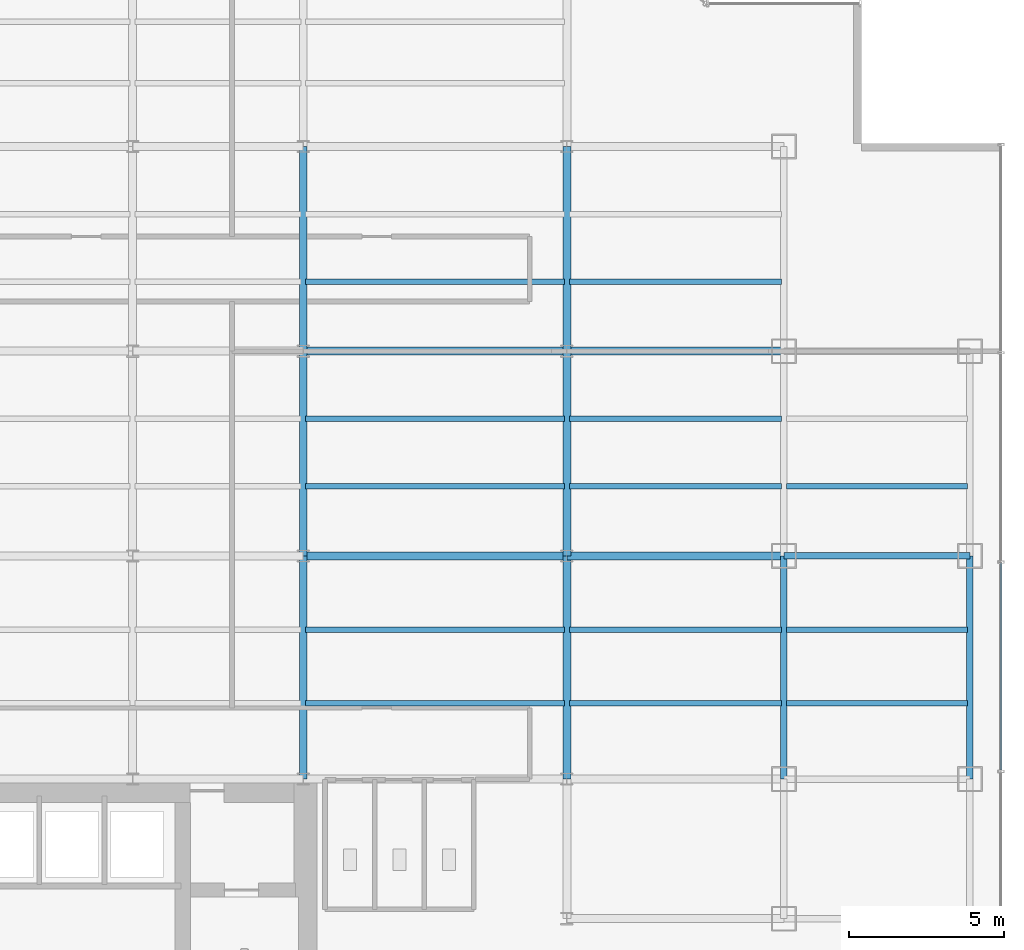
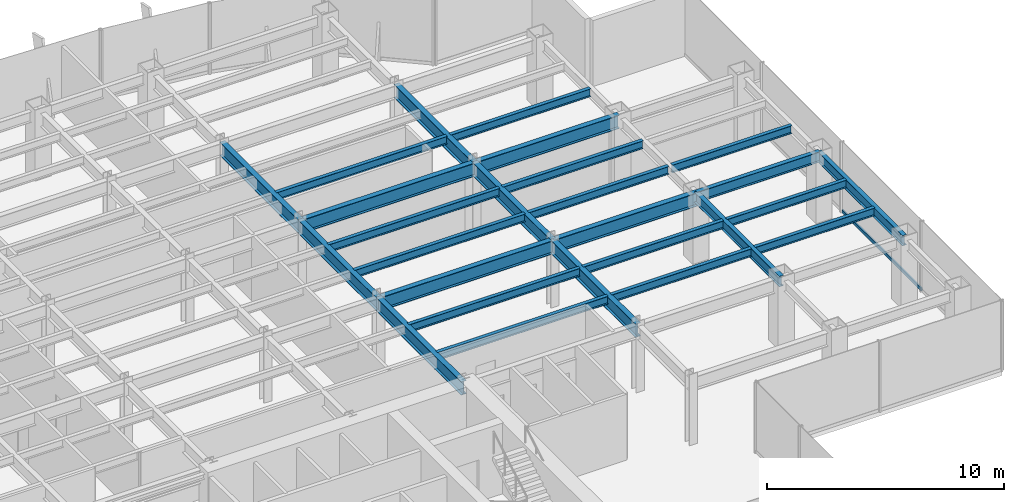
# One storey, part 11 of 26: 26 beams, 1 member, 1 element without a shape of its own.
"""IFC4 building model written with IfcOpenShell, lengths in metres."""

import ifcopenshell
import ifcopenshell.guid

model = None  # the IFC model being written
_history = None  # IfcOwnerHistory: only IFC2X3 demands one
_inside = {}  # id of a spatial element -> (the spatial element, [elements in it])
_under = {}  # id of a project, library or spatial element -> (it, [spatial elements below it])
_declared = {}  # id of a project -> (the project, [libraries it declares])
_typed = {}  # id of a type object -> (the type object, [elements of that type])
_made_of = {}  # id of a material, layer set ... -> (it, [elements and type objects made of it])


def new_model(schema):
    """Start an empty IFC model of exactly this schema.

    Asked for "IFC4X3", IfcOpenShell would pick the latest addendum, in which some entities
    have other attributes; the version numbers below select the first issue.
    IFC2X3 requires an IfcOwnerHistory on every rooted entity: one is made here for all.
    """
    global model, _history
    if schema == "IFC4X3":
        model = ifcopenshell.file(schema_version=(4, 3, 0, 0))
    else:
        model = ifcopenshell.file(schema=schema)
    _inside.clear()
    _under.clear()
    _declared.clear()
    _typed.clear()
    _made_of.clear()
    _history = None
    if model.schema == "IFC2X3":
        org = make("IfcOrganization", Name="unknown")
        user = make(
            "IfcPersonAndOrganization",
            ThePerson=make("IfcPerson", FamilyName="unknown"),
            TheOrganization=org,
        )
        app = make(
            "IfcApplication",
            ApplicationDeveloper=org,
            Version="unknown",
            ApplicationFullName="unknown",
            ApplicationIdentifier="unknown",
        )
        _history = make(
            "IfcOwnerHistory",
            OwningUser=user,
            OwningApplication=app,
            ChangeAction="ADDED",
            CreationDate=0,
        )
    return model


def make(cls, **values):
    """One entity of the class cls with the attributes given. An attribute that is None is left unset."""
    return model.create_entity(
        cls, **{name: value for name, value in values.items() if value is not None}
    )


def rooted(cls, **values):
    """An entity with a GlobalId (a new one), such as an element, a storey or a relation."""
    return make(cls, GlobalId=ifcopenshell.guid.new(), OwnerHistory=_history, **values)


def si_unit(unit_type, name, prefix=None):
    """IfcSIUnit, for example si_unit("LENGTHUNIT", "METRE", prefix="MILLI")."""
    return make("IfcSIUnit", UnitType=unit_type, Prefix=prefix, Name=name)


def derived_unit(unit_type, elements):
    """IfcDerivedUnit: a product of units, each with its exponent."""
    return make(
        "IfcDerivedUnit",
        Elements=[
            make("IfcDerivedUnitElement", Unit=unit, Exponent=power)
            for unit, power in elements
        ],
        UnitType=unit_type,
    )


def assignment(units):
    """IfcUnitAssignment: the units of a project."""
    return None if units is None else make("IfcUnitAssignment", Units=units)


def point(xyz):
    """IfcCartesianPoint."""
    return None if xyz is None else make("IfcCartesianPoint", Coordinates=xyz)


def direction(xyz):
    """IfcDirection."""
    return None if xyz is None else make("IfcDirection", DirectionRatios=xyz)


def frame(location, z_axis=None, x_axis=None):
    """IfcAxis2Placement3D, a coordinate frame: its origin and axes. An axis left out is left unset."""
    return make(
        "IfcAxis2Placement3D",
        Location=point(location),
        Axis=direction(z_axis),
        RefDirection=direction(x_axis),
    )


def frame_2d(location, x_axis=None):
    """IfcAxis2Placement2D, a coordinate frame in the plane: its origin and x axis."""
    return make(
        "IfcAxis2Placement2D", Location=point(location), RefDirection=direction(x_axis)
    )


def origin():
    """The frame at (0, 0, 0) with its axes left unset."""
    return frame((0.0, 0.0, 0.0))


def origin_2d():
    """The frame at (0, 0) in the plane with its x axis left unset."""
    return frame_2d((0.0, 0.0))


def place(relative_to, where):
    """IfcLocalPlacement: puts the frame where relative to a parent placement (None: the world)."""
    return make(
        "IfcLocalPlacement", PlacementRelTo=relative_to, RelativePlacement=where
    )


def context(
    kind, dimensions, precision=None, world=None, true_north=None, identifier=None
):
    """IfcGeometricRepresentationContext, for example the 3D "Model" context."""
    return make(
        "IfcGeometricRepresentationContext",
        ContextIdentifier=identifier,
        ContextType=kind,
        CoordinateSpaceDimension=dimensions,
        Precision=precision,
        WorldCoordinateSystem=world,
        TrueNorth=true_north,
    )


def subcontext(parent, identifier, kind, view, scale=None):
    """IfcGeometricRepresentationSubContext, for example "Body" below "Model"."""
    return make(
        "IfcGeometricRepresentationSubContext",
        ContextIdentifier=identifier,
        ContextType=kind,
        ParentContext=parent,
        TargetScale=scale,
        TargetView=view,
    )


def project(units=None, contexts=None):
    """IfcProject with its units and contexts."""
    return rooted(
        "IfcProject",
        Name="project",
        RepresentationContexts=contexts,
        UnitsInContext=assignment(units),
    )


def spatial(cls, under=None, at=None, **own):
    """A site, building, storey or space (cls), placed at a placement, below another one or the project."""
    s = rooted(cls, ObjectPlacement=at, **own)
    if under is not None:
        _under.setdefault(under.id(), (under, []))[1].append(s)
    return s


def profile(cls, at=None, kind="AREA", **sizes):
    """A parametric profile (cls). Its sizes go by their IFC names, for example OverallWidth=200.0."""
    return make(cls, ProfileType=kind, Position=at, **sizes)


def hollow_rectangle(**sizes):
    """IfcRectangleHollowProfileDef."""
    return profile("IfcRectangleHollowProfileDef", **sizes)


def i_section(**sizes):
    """IfcIShapeProfileDef."""
    return profile("IfcIShapeProfileDef", **sizes)


def extrude(swept, where, along, depth):
    """IfcExtrudedAreaSolid: the profile swept, set in the frame where, extruded along a direction by depth."""
    return make(
        "IfcExtrudedAreaSolid",
        SweptArea=swept,
        Position=where,
        ExtrudedDirection=direction(along),
        Depth=depth,
    )


def shape(context_of_items, identifier, shape_type, items):
    """IfcShapeRepresentation: the items that make up one representation, for example the "Body"."""
    return make(
        "IfcShapeRepresentation",
        ContextOfItems=context_of_items,
        RepresentationIdentifier=identifier,
        RepresentationType=shape_type,
        Items=items,
    )


def source(mapping_origin, context_of_items, identifier, shape_type, items):
    """IfcRepresentationMap: a shape defined once, which mapped items show again and again."""
    return make(
        "IfcRepresentationMap",
        MappingOrigin=mapping_origin,
        MappedRepresentation=shape(context_of_items, identifier, shape_type, items),
    )


def transform(
    local_origin,
    x_axis=None,
    y_axis=None,
    z_axis=None,
    scale=None,
    scale2=None,
    scale3=None,
    uniform=True,
):
    """IfcCartesianTransformationOperator3D, or its non-uniform kind. x_axis, y_axis, z_axis: its Axis1, 2, 3."""
    if uniform:
        return make(
            "IfcCartesianTransformationOperator3D",
            Axis1=direction(x_axis),
            Axis2=direction(y_axis),
            LocalOrigin=point(local_origin),
            Scale=scale,
            Axis3=direction(z_axis),
        )
    return make(
        "IfcCartesianTransformationOperator3DnonUniform",
        Axis1=direction(x_axis),
        Axis2=direction(y_axis),
        LocalOrigin=point(local_origin),
        Scale=scale,
        Axis3=direction(z_axis),
        Scale2=scale2,
        Scale3=scale3,
    )


def mapped(mapping_source, mapping_target):
    """IfcMappedItem: shows the shape of a source again, moved by a transform."""
    return make(
        "IfcMappedItem", MappingSource=mapping_source, MappingTarget=mapping_target
    )


def material(Name=None, Category=None):
    """IfcMaterial."""
    return make("IfcMaterial", Name=Name, Category=Category)


def material_profile(
    of_material, cross_section, Name=None, Category=None, Priority=None
):
    """IfcMaterialProfile: a cross section and its material."""
    return make(
        "IfcMaterialProfile",
        Name=Name,
        Material=of_material,
        Profile=cross_section,
        Priority=Priority,
        Category=Category,
    )


def profile_set(profiles, Name=None, composite=None):
    """IfcMaterialProfileSet."""
    return make(
        "IfcMaterialProfileSet",
        Name=Name,
        MaterialProfiles=profiles,
        CompositeProfile=composite,
    )


def made_of(thing, what):
    """Note that an element or type object is made of a material, layer set ...; save() writes the relation."""
    if what is not None:
        _made_of.setdefault(what.id(), (what, []))[1].append(thing)
    return thing


def type_object(cls, material=None, **own):
    """A type object (cls), such as IfcWallType, which elements share."""
    return made_of(rooted(cls, **own), material)


def element(
    cls,
    number,
    at=None,
    inside=None,
    cuts=None,
    type_object=None,
    material=None,
    context=None,
    identifier="Body",
    shape_type=None,
    held_by="IfcProductDefinitionShape",
    body=None,
    shapes=None,
    **own,
):
    """One element of the class cls, such as IfcWall. Its Tag is "e" and its number.

    at: its placement. inside: the storey or other place that contains it. cuts: it is an
    opening in that element (IfcRelVoidsElement). A single representation is given by context,
    identifier, shape_type and body (its items); several are given by shapes. held_by: the class
    of the entity that holds the representations. save() writes the other relations.
    """
    e = rooted(cls, Tag="e%d" % number, ObjectPlacement=at, **own)
    if body is not None:
        shapes = [shape(context, identifier, shape_type, body)]
    if shapes is not None:
        e.Representation = make(held_by, Representations=shapes)
    if inside is not None:
        _inside.setdefault(inside.id(), (inside, []))[1].append(e)
    if cuts is not None:
        rooted(
            "IfcRelVoidsElement", RelatingBuildingElement=cuts, RelatedOpeningElement=e
        )
    if type_object is not None:
        _typed.setdefault(type_object.id(), (type_object, []))[1].append(e)
    return made_of(e, material)


def aggregate(whole, parts):
    """IfcRelAggregates: a whole, such as a stair, and the parts it consists of."""
    return rooted("IfcRelAggregates", RelatingObject=whole, RelatedObjects=parts)


def save(model, path):
    """Write the relations noted so far, then the file.

    IfcRelAggregates (storeys below a building ...), IfcRelContainedInSpatialStructure (elements
    in a storey), IfcRelDefinesByType, IfcRelAssociatesMaterial and IfcRelDeclares: one each for
    every whole, place, type object, material and project.
    """
    for whole, parts in _under.values():
        aggregate(whole, parts)
    for where, things in _inside.values():
        rooted(
            "IfcRelContainedInSpatialStructure",
            RelatedElements=things,
            RelatingStructure=where,
        )
    for kind, things in _typed.values():
        rooted("IfcRelDefinesByType", RelatedObjects=things, RelatingType=kind)
    for what, things in _made_of.values():
        rooted("IfcRelAssociatesMaterial", RelatedObjects=things, RelatingMaterial=what)
    for by, libraries in _declared.values():
        rooted("IfcRelDeclares", RelatingContext=by, RelatedDefinitions=libraries)
    model.write(path)


model = new_model("IFC4")

# Units and contexts
model_context = context("Model", 3, precision=1e-05, world=origin(), true_north=direction((0.0, 1.0)))
body_context = subcontext(model_context, "Body", "Model", "MODEL_VIEW")
ifc_project = project(units=[si_unit("LENGTHUNIT", "METRE"), si_unit("AREAUNIT", "SQUARE_METRE"), si_unit("VOLUMEUNIT", "CUBIC_METRE"), si_unit("PLANEANGLEUNIT", "RADIAN"), si_unit("MASSUNIT", "GRAM", prefix="KILO"), derived_unit("THERMALTRANSMITTANCEUNIT", [(si_unit("POWERUNIT", "WATT"), 1), (si_unit("LENGTHUNIT", "METRE"), -2), (si_unit("THERMODYNAMICTEMPERATUREUNIT", "KELVIN"), -1)])], contexts=[model_context])

# Site, building, storey
site_placement = place(None, origin())
site = spatial("IfcSite", under=ifc_project, at=site_placement, CompositionType="ELEMENT")
building_placement = place(site_placement, origin())
building = spatial("IfcBuilding", under=site, at=building_placement, Name="Skarnbrae Concourse Arena and Tower", CompositionType="ELEMENT")
storey_placement = place(building_placement, frame((0.0, 0.0, 128.800048828125)))
storey = spatial("IfcBuildingStorey", under=building, at=storey_placement, Name="L32", CompositionType="ELEMENT", Elevation=128.800048828125)

# Beams
ifc_material_1 = material(Name="Steel CSA G40.21 350W", Category="steel")
ifc_material_profile_1 = material_profile(ifc_material_1, i_section(OverallWidth=0.256103515625, OverallDepth=0.693115234375, WebThickness=0.014404296875, FlangeThickness=0.023681640625, at=origin_2d()), Name="W690X170")
ifc_profile_set_1 = profile_set([ifc_material_profile_1], Name="Steel CSA G40.21 350W")
beam_type_1 = type_object("IfcBeamType", Name="BM-GIRD-W690X170", PredefinedType="BEAM", material=ifc_profile_set_1)
shared_shape_1 = source(origin(), body_context, "Body", "SweptSolid", [
    extrude(i_section(OverallWidth=0.256103515625, OverallDepth=0.693115234375, WebThickness=0.014404296875, FlangeThickness=0.023681640625, at=origin_2d()), origin(), (0.0, 0.0, 1.0), 7.0),
])
for number, where, z_axis, x_axis, name in (
    (1, (42.0, 21.199951171875, 3.053466796875), (1.0, 0.0, 0.0), (0.0, 1.0, 0.0), "L32 Primary E-W girder Y21.2-7"),
    (2, (42.0, 27.800048828125, 3.053466796875), (1.0, 0.0, 0.0), (0.0, 1.0, 0.0), "L32 Primary E-W girder Y27.8-7"),
):
    element("IfcBeam", number, at=place(storey_placement, frame(where, z_axis=z_axis, x_axis=x_axis)), inside=storey, type_object=beam_type_1, Name=name, PredefinedType="BEAM", context=body_context, shape_type="MappedRepresentation", body=[
        mapped(shared_shape_1, transform((0.0, 0.0, 0.0))),
    ])
ifc_material_profile_2 = material_profile(ifc_material_1, i_section(OverallWidth=0.208984375, OverallDepth=0.532958984375, WebThickness=0.01025390625, FlangeThickness=0.015625, at=origin_2d()), Name="W530X92")
ifc_profile_set_2 = profile_set([ifc_material_profile_2], Name="Steel CSA G40.21 350W")
beam_type_2 = type_object("IfcBeamType", Name="BM-SPAN-W530X92", PredefinedType="SPANDREL", material=ifc_profile_set_2)
shared_shape_2 = source(origin(), body_context, "Body", "SweptSolid", [
    extrude(i_section(OverallWidth=0.208984375, OverallDepth=0.532958984375, WebThickness=0.01025390625, FlangeThickness=0.015625, at=origin_2d()), origin(), (0.0, 0.0, 1.0), 6.0),
])
beam_placement = place(storey_placement, frame((49.0, 21.199951171875, 3.133544921875), z_axis=(1.0, 0.0, 0.0), x_axis=(0.0, 1.0, 0.0)))
element("IfcBeam", 3, at=beam_placement, inside=storey, type_object=beam_type_2, Name="L32 Perimeter spandrel Y21.2-8", PredefinedType="SPANDREL", context=body_context, shape_type="MappedRepresentation", body=[
    mapped(shared_shape_2, transform((0.0, 0.0, 0.0))),
])
shared_shape_3 = source(origin(), body_context, "Body", "SweptSolid", [
    extrude(i_section(OverallWidth=0.256103515625, OverallDepth=0.693115234375, WebThickness=0.014404296875, FlangeThickness=0.023681640625, at=origin_2d()), origin(), (0.0, 0.0, 1.0), 6.60009765625),
])
for number, where, z_axis, x_axis, name in (
    (4, (33.5, 21.199951171875, 3.053466796875), (0.0, 1.0, 0.0), (-1.0, 0.0, 0.0), "L32 Primary N-S girder X33.5-2"),
    (5, (42.0, 21.199951171875, 3.053466796875), (0.0, 1.0, 0.0), (-1.0, 0.0, 0.0), "L32 Primary N-S girder X42.0-3"),
):
    element("IfcBeam", number, at=place(storey_placement, frame(where, z_axis=z_axis, x_axis=x_axis)), inside=storey, type_object=beam_type_1, Name=name, PredefinedType="BEAM", context=body_context, shape_type="MappedRepresentation", body=[
        mapped(shared_shape_3, transform((0.0, 0.0, 0.0))),
    ])
shared_shape_4 = source(origin(), body_context, "Body", "SweptSolid", [
    extrude(i_section(OverallWidth=0.256103515625, OverallDepth=0.693115234375, WebThickness=0.014404296875, FlangeThickness=0.023681640625, at=origin_2d()), origin(), (0.0, 0.0, 1.0), 8.5),
])
for number, where, z_axis, x_axis, name in (
    (6, (33.5, 21.199951171875, 3.053466796875), (1.0, 0.0, 0.0), (0.0, 1.0, 0.0), "L32 Primary E-W girder Y21.2-6"),
    (7, (33.5, 27.800048828125, 3.053466796875), (1.0, 0.0, 0.0), (0.0, 1.0, 0.0), "L32 Primary E-W girder Y27.8-6"),
):
    element("IfcBeam", number, at=place(storey_placement, frame(where, z_axis=z_axis, x_axis=x_axis)), inside=storey, type_object=beam_type_1, Name=name, PredefinedType="BEAM", context=body_context, shape_type="MappedRepresentation", body=[
        mapped(shared_shape_4, transform((0.0, 0.0, 0.0))),
    ])
shared_shape_5 = source(origin(), body_context, "Body", "SweptSolid", [
    extrude(i_section(OverallWidth=0.208984375, OverallDepth=0.532958984375, WebThickness=0.01025390625, FlangeThickness=0.015625, at=origin_2d()), origin(), (0.0, 0.0, 1.0), 7.199951171875),
])
for number, where, z_axis, x_axis, name in (
    (8, (49.0, 14.0, 3.133544921875), (0.0, 1.0, 0.0), (-1.0, 0.0, 0.0), "L32 Perimeter spandrel X49.0-2"),
    (9, (55.0, 14.0, 3.133544921875), (0.0, 1.0, 0.0), (-1.0, 0.0, 0.0), "L32 Perimeter spandrel X55.0-2"),
):
    element("IfcBeam", number, at=place(storey_placement, frame(where, z_axis=z_axis, x_axis=x_axis)), inside=storey, type_object=beam_type_2, Name=name, PredefinedType="SPANDREL", context=body_context, shape_type="MappedRepresentation", body=[
        mapped(shared_shape_5, transform((0.0, 0.0, 0.0))),
    ])
shared_shape_6 = source(origin(), body_context, "Body", "SweptSolid", [
    extrude(i_section(OverallWidth=0.256103515625, OverallDepth=0.693115234375, WebThickness=0.014404296875, FlangeThickness=0.023681640625, at=origin_2d()), origin(), (0.0, 0.0, 1.0), 7.199951171875),
])
for number, where, z_axis, x_axis, name in (
    (10, (33.5, 14.0, 3.053466796875), (0.0, 1.0, 0.0), (-1.0, 0.0, 0.0), "L32 Primary N-S girder X33.5-1"),
    (11, (42.0, 14.0, 3.053466796875), (0.0, 1.0, 0.0), (-1.0, 0.0, 0.0), "L32 Primary N-S girder X42.0-2"),
):
    element("IfcBeam", number, at=place(storey_placement, frame(where, z_axis=z_axis, x_axis=x_axis)), inside=storey, type_object=beam_type_1, Name=name, PredefinedType="BEAM", context=body_context, shape_type="MappedRepresentation", body=[
        mapped(shared_shape_6, transform((0.0, 0.0, 0.0))),
    ])
shared_shape_7 = source(origin(), body_context, "Body", "SweptSolid", [
    extrude(i_section(OverallWidth=0.256103515625, OverallDepth=0.693115234375, WebThickness=0.014404296875, FlangeThickness=0.023681640625, at=origin_2d()), origin(), (0.0, 0.0, 1.0), 6.599853515625),
])
for number, where, z_axis, x_axis, name in (
    (12, (33.5, 27.800048828125, 3.053466796875), (0.0, 1.0, 0.0), (-1.0, 0.0, 0.0), "L32 Primary N-S girder X33.5-3"),
    (13, (42.0, 27.800048828125, 3.053466796875), (0.0, 1.0, 0.0), (-1.0, 0.0, 0.0), "L32 Primary N-S girder X42.0-4"),
):
    element("IfcBeam", number, at=place(storey_placement, frame(where, z_axis=z_axis, x_axis=x_axis)), inside=storey, type_object=beam_type_1, Name=name, PredefinedType="BEAM", context=body_context, shape_type="MappedRepresentation", body=[
        mapped(shared_shape_7, transform((0.0, 0.0, 0.0))),
    ])
ifc_material_profile_3 = material_profile(ifc_material_1, i_section(OverallWidth=0.177978515625, OverallDepth=0.406982421875, WebThickness=0.0078125, FlangeThickness=0.0126953125, at=origin_2d()), Name="W410X60")
ifc_profile_set_3 = profile_set([ifc_material_profile_3], Name="Steel CSA G40.21 350W")
beam_type_3 = type_object("IfcBeamType", Name="BM-JOIST-W410X60", PredefinedType="JOIST", material=ifc_profile_set_3)
shared_shape_8 = source(origin(), body_context, "Body", "SweptSolid", [
    extrude(i_section(OverallWidth=0.177978515625, OverallDepth=0.406982421875, WebThickness=0.0078125, FlangeThickness=0.0126953125, at=origin_2d()), origin(), (0.0, 0.0, 1.0), 8.33984375),
])
for number, where, z_axis, x_axis, name in (
    (14, (33.580078125, 16.447998046875, 3.196533203125), (1.0, 0.0, 0.0), (0.0, 1.0, 0.0), "L32 Secondary floor joist 1.1.6"),
    (15, (33.580078125, 18.823974609375, 3.196533203125), (1.0, 0.0, 0.0), (0.0, 1.0, 0.0), "L32 Secondary floor joist 1.2.6"),
    (16, (33.580078125, 23.444091796875, 3.196533203125), (1.0, 0.0, 0.0), (0.0, 1.0, 0.0), "L32 Secondary floor joist 2.1.6"),
    (17, (33.580078125, 25.6220703125, 3.196533203125), (1.0, 0.0, 0.0), (0.0, 1.0, 0.0), "L32 Secondary floor joist 2.2.6"),
    (18, (33.580078125, 30.0439453125, 3.196533203125), (1.0, 0.0, 0.0), (0.0, 1.0, 0.0), "L32 Secondary floor joist 3.1.5"),
):
    element("IfcBeam", number, at=place(storey_placement, frame(where, z_axis=z_axis, x_axis=x_axis)), inside=storey, type_object=beam_type_3, Name=name, PredefinedType="JOIST", context=body_context, shape_type="MappedRepresentation", body=[
        mapped(shared_shape_8, transform((0.0, 0.0, 0.0))),
    ])
shared_shape_9 = source(origin(), body_context, "Body", "SweptSolid", [
    extrude(i_section(OverallWidth=0.177978515625, OverallDepth=0.406982421875, WebThickness=0.0078125, FlangeThickness=0.0126953125, at=origin_2d()), origin(), (0.0, 0.0, 1.0), 6.83984375),
])
for number, where, z_axis, x_axis, name in (
    (19, (42.080078125, 16.447998046875, 3.196533203125), (1.0, 0.0, 0.0), (0.0, 1.0, 0.0), "L32 Secondary floor joist 1.1.7"),
    (20, (42.080078125, 18.823974609375, 3.196533203125), (1.0, 0.0, 0.0), (0.0, 1.0, 0.0), "L32 Secondary floor joist 1.2.7"),
    (21, (42.080078125, 23.444091796875, 3.196533203125), (1.0, 0.0, 0.0), (0.0, 1.0, 0.0), "L32 Secondary floor joist 2.1.7"),
    (22, (42.080078125, 25.6220703125, 3.196533203125), (1.0, 0.0, 0.0), (0.0, 1.0, 0.0), "L32 Secondary floor joist 2.2.7"),
    (23, (42.080078125, 30.0439453125, 3.196533203125), (1.0, 0.0, 0.0), (0.0, 1.0, 0.0), "L32 Secondary floor joist 3.1.6"),
):
    element("IfcBeam", number, at=place(storey_placement, frame(where, z_axis=z_axis, x_axis=x_axis)), inside=storey, type_object=beam_type_3, Name=name, PredefinedType="JOIST", context=body_context, shape_type="MappedRepresentation", body=[
        mapped(shared_shape_9, transform((0.0, 0.0, 0.0))),
    ])
shared_shape_10 = source(origin(), body_context, "Body", "SweptSolid", [
    extrude(i_section(OverallWidth=0.177978515625, OverallDepth=0.406982421875, WebThickness=0.0078125, FlangeThickness=0.0126953125, at=origin_2d()), origin(), (0.0, 0.0, 1.0), 5.83984375),
])
for number, where, z_axis, x_axis, name in (
    (24, (49.080078125, 16.447998046875, 3.196533203125), (1.0, 0.0, 0.0), (0.0, 1.0, 0.0), "L32 Secondary floor joist 1.1.8"),
    (25, (49.080078125, 18.823974609375, 3.196533203125), (1.0, 0.0, 0.0), (0.0, 1.0, 0.0), "L32 Secondary floor joist 1.2.8"),
    (26, (49.080078125, 23.444091796875, 3.196533203125), (1.0, 0.0, 0.0), (0.0, 1.0, 0.0), "L32 Secondary floor joist 2.1.8"),
):
    element("IfcBeam", number, at=place(storey_placement, frame(where, z_axis=z_axis, x_axis=x_axis)), inside=storey, type_object=beam_type_3, Name=name, PredefinedType="JOIST", context=body_context, shape_type="MappedRepresentation", body=[
        mapped(shared_shape_10, transform((0.0, 0.0, 0.0))),
    ])

# Curtain wall, member
ifc_material_2 = material(Name="Bronze anodised aluminium 6063-T6", Category="aluminium")
curtain_wall_type = type_object("IfcCurtainWallType", Name="CW-SYS-04-MIDZONE", PredefinedType="USERDEFINED", material=ifc_material_2)
curtain_wall_placement = place(storey_placement, origin())
curtain_wall = element("IfcCurtainWall", 27, at=curtain_wall_placement, inside=storey, type_object=curtain_wall_type, Name="L32 Unitised curtain wall CW-L32-E04", ObjectType="UNITISED CURTAIN WALL", PredefinedType="USERDEFINED")
ifc_material_profile_4 = material_profile(ifc_material_2, hollow_rectangle(XDim=0.074951171875, YDim=0.159912109375, WallThickness=0.00439453125, at=origin_2d()), Name="ALU-TRAN-75X160")
ifc_profile_set_4 = profile_set([ifc_material_profile_4], Name="Bronze anodised aluminium 6063-T6")
member_type = type_object("IfcMemberType", Name="CWT-CW-04", PredefinedType="USERDEFINED", material=ifc_profile_set_4)
shared_shape_11 = source(origin(), body_context, "Body", "SweptSolid", [
    extrude(hollow_rectangle(XDim=0.074951171875, YDim=0.159912109375, WallThickness=0.00439453125, at=origin_2d()), origin(), (0.0, 0.0, 1.0), 6.6748046875),
])
member_placement = place(storey_placement, frame((56.0, 14.28759765625, 0.079833984375), z_axis=(0.0, 1.0, 0.0), x_axis=(-1.0, 0.0, 0.0)))
member = element("IfcMember", 28, at=member_placement, type_object=member_type, Name="CW-L32-E04 Transom 2", ObjectType="TRANSOM", PredefinedType="USERDEFINED", context=body_context, shape_type="MappedRepresentation", body=[
    mapped(shared_shape_11, transform((0.0, 0.0, 0.0))),
])
aggregate(curtain_wall, [member])

save(model, "model.ifc")
